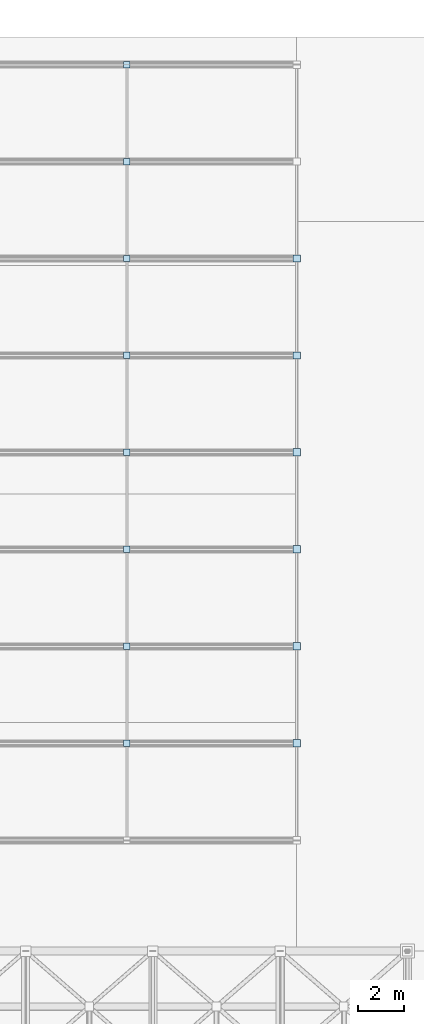
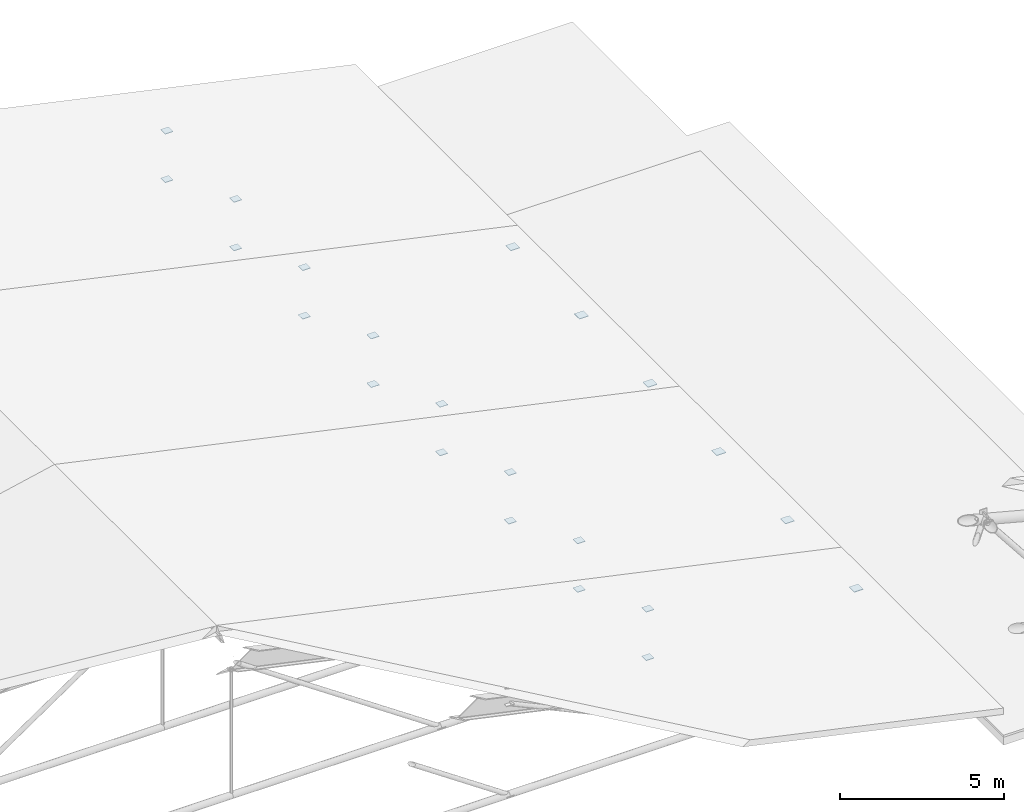
# One storey, part 55 of 60: 22 plates.
"""IFC4 building model written with IfcOpenShell, lengths in metres."""

import ifcopenshell
import ifcopenshell.guid

model = None  # the IFC model being written
_history = None  # IfcOwnerHistory: only IFC2X3 demands one
_inside = {}  # id of a spatial element -> (the spatial element, [elements in it])
_under = {}  # id of a project, library or spatial element -> (it, [spatial elements below it])
_declared = {}  # id of a project -> (the project, [libraries it declares])
_typed = {}  # id of a type object -> (the type object, [elements of that type])
_made_of = {}  # id of a material, layer set ... -> (it, [elements and type objects made of it])


def new_model(schema):
    """Start an empty IFC model of exactly this schema.

    Asked for "IFC4X3", IfcOpenShell would pick the latest addendum, in which some entities
    have other attributes; the version numbers below select the first issue.
    IFC2X3 requires an IfcOwnerHistory on every rooted entity: one is made here for all.
    """
    global model, _history
    if schema == "IFC4X3":
        model = ifcopenshell.file(schema_version=(4, 3, 0, 0))
    else:
        model = ifcopenshell.file(schema=schema)
    _inside.clear()
    _under.clear()
    _declared.clear()
    _typed.clear()
    _made_of.clear()
    _history = None
    if model.schema == "IFC2X3":
        org = make("IfcOrganization", Name="unknown")
        user = make(
            "IfcPersonAndOrganization",
            ThePerson=make("IfcPerson", FamilyName="unknown"),
            TheOrganization=org,
        )
        app = make(
            "IfcApplication",
            ApplicationDeveloper=org,
            Version="unknown",
            ApplicationFullName="unknown",
            ApplicationIdentifier="unknown",
        )
        _history = make(
            "IfcOwnerHistory",
            OwningUser=user,
            OwningApplication=app,
            ChangeAction="ADDED",
            CreationDate=0,
        )
    return model


def make(cls, **values):
    """One entity of the class cls with the attributes given. An attribute that is None is left unset."""
    return model.create_entity(
        cls, **{name: value for name, value in values.items() if value is not None}
    )


def rooted(cls, **values):
    """An entity with a GlobalId (a new one), such as an element, a storey or a relation."""
    return make(cls, GlobalId=ifcopenshell.guid.new(), OwnerHistory=_history, **values)


def si_unit(unit_type, name, prefix=None):
    """IfcSIUnit, for example si_unit("LENGTHUNIT", "METRE", prefix="MILLI")."""
    return make("IfcSIUnit", UnitType=unit_type, Prefix=prefix, Name=name)


def assignment(units):
    """IfcUnitAssignment: the units of a project."""
    return None if units is None else make("IfcUnitAssignment", Units=units)


def point(xyz):
    """IfcCartesianPoint."""
    return None if xyz is None else make("IfcCartesianPoint", Coordinates=xyz)


def direction(xyz):
    """IfcDirection."""
    return None if xyz is None else make("IfcDirection", DirectionRatios=xyz)


def frame(location, z_axis=None, x_axis=None):
    """IfcAxis2Placement3D, a coordinate frame: its origin and axes. An axis left out is left unset."""
    return make(
        "IfcAxis2Placement3D",
        Location=point(location),
        Axis=direction(z_axis),
        RefDirection=direction(x_axis),
    )


def frame_2d(location, x_axis=None):
    """IfcAxis2Placement2D, a coordinate frame in the plane: its origin and x axis."""
    return make(
        "IfcAxis2Placement2D", Location=point(location), RefDirection=direction(x_axis)
    )


def origin():
    """The frame at (0, 0, 0) with its axes left unset."""
    return frame((0.0, 0.0, 0.0))


def origin_2d():
    """The frame at (0, 0) in the plane with its x axis left unset."""
    return frame_2d((0.0, 0.0))


def place(relative_to, where):
    """IfcLocalPlacement: puts the frame where relative to a parent placement (None: the world)."""
    return make(
        "IfcLocalPlacement", PlacementRelTo=relative_to, RelativePlacement=where
    )


def context(
    kind, dimensions, precision=None, world=None, true_north=None, identifier=None
):
    """IfcGeometricRepresentationContext, for example the 3D "Model" context."""
    return make(
        "IfcGeometricRepresentationContext",
        ContextIdentifier=identifier,
        ContextType=kind,
        CoordinateSpaceDimension=dimensions,
        Precision=precision,
        WorldCoordinateSystem=world,
        TrueNorth=true_north,
    )


def subcontext(parent, identifier, kind, view, scale=None):
    """IfcGeometricRepresentationSubContext, for example "Body" below "Model"."""
    return make(
        "IfcGeometricRepresentationSubContext",
        ContextIdentifier=identifier,
        ContextType=kind,
        ParentContext=parent,
        TargetScale=scale,
        TargetView=view,
    )


def project(units=None, contexts=None):
    """IfcProject with its units and contexts."""
    return rooted(
        "IfcProject",
        Name="project",
        RepresentationContexts=contexts,
        UnitsInContext=assignment(units),
    )


def spatial(cls, under=None, at=None, **own):
    """A site, building, storey or space (cls), placed at a placement, below another one or the project."""
    s = rooted(cls, ObjectPlacement=at, **own)
    if under is not None:
        _under.setdefault(under.id(), (under, []))[1].append(s)
    return s


def profile(cls, at=None, kind="AREA", **sizes):
    """A parametric profile (cls). Its sizes go by their IFC names, for example OverallWidth=200.0."""
    return make(cls, ProfileType=kind, Position=at, **sizes)


def rectangle(**sizes):
    """IfcRectangleProfileDef."""
    return profile("IfcRectangleProfileDef", **sizes)


def extrude(swept, where, along, depth):
    """IfcExtrudedAreaSolid: the profile swept, set in the frame where, extruded along a direction by depth."""
    return make(
        "IfcExtrudedAreaSolid",
        SweptArea=swept,
        Position=where,
        ExtrudedDirection=direction(along),
        Depth=depth,
    )


def shape(context_of_items, identifier, shape_type, items):
    """IfcShapeRepresentation: the items that make up one representation, for example the "Body"."""
    return make(
        "IfcShapeRepresentation",
        ContextOfItems=context_of_items,
        RepresentationIdentifier=identifier,
        RepresentationType=shape_type,
        Items=items,
    )


def material(Name=None, Category=None):
    """IfcMaterial."""
    return make("IfcMaterial", Name=Name, Category=Category)


def made_of(thing, what):
    """Note that an element or type object is made of a material, layer set ...; save() writes the relation."""
    if what is not None:
        _made_of.setdefault(what.id(), (what, []))[1].append(thing)
    return thing


def type_object(cls, material=None, **own):
    """A type object (cls), such as IfcWallType, which elements share."""
    return made_of(rooted(cls, **own), material)


def element(
    cls,
    number,
    at=None,
    inside=None,
    cuts=None,
    type_object=None,
    material=None,
    context=None,
    identifier="Body",
    shape_type=None,
    held_by="IfcProductDefinitionShape",
    body=None,
    shapes=None,
    **own,
):
    """One element of the class cls, such as IfcWall. Its Tag is "e" and its number.

    at: its placement. inside: the storey or other place that contains it. cuts: it is an
    opening in that element (IfcRelVoidsElement). A single representation is given by context,
    identifier, shape_type and body (its items); several are given by shapes. held_by: the class
    of the entity that holds the representations. save() writes the other relations.
    """
    e = rooted(cls, Tag="e%d" % number, ObjectPlacement=at, **own)
    if body is not None:
        shapes = [shape(context, identifier, shape_type, body)]
    if shapes is not None:
        e.Representation = make(held_by, Representations=shapes)
    if inside is not None:
        _inside.setdefault(inside.id(), (inside, []))[1].append(e)
    if cuts is not None:
        rooted(
            "IfcRelVoidsElement", RelatingBuildingElement=cuts, RelatedOpeningElement=e
        )
    if type_object is not None:
        _typed.setdefault(type_object.id(), (type_object, []))[1].append(e)
    return made_of(e, material)


def aggregate(whole, parts):
    """IfcRelAggregates: a whole, such as a stair, and the parts it consists of."""
    return rooted("IfcRelAggregates", RelatingObject=whole, RelatedObjects=parts)


def save(model, path):
    """Write the relations noted so far, then the file.

    IfcRelAggregates (storeys below a building ...), IfcRelContainedInSpatialStructure (elements
    in a storey), IfcRelDefinesByType, IfcRelAssociatesMaterial and IfcRelDeclares: one each for
    every whole, place, type object, material and project.
    """
    for whole, parts in _under.values():
        aggregate(whole, parts)
    for where, things in _inside.values():
        rooted(
            "IfcRelContainedInSpatialStructure",
            RelatedElements=things,
            RelatingStructure=where,
        )
    for kind, things in _typed.values():
        rooted("IfcRelDefinesByType", RelatedObjects=things, RelatingType=kind)
    for what, things in _made_of.values():
        rooted("IfcRelAssociatesMaterial", RelatedObjects=things, RelatingMaterial=what)
    for by, libraries in _declared.values():
        rooted("IfcRelDeclares", RelatingContext=by, RelatedDefinitions=libraries)
    model.write(path)


model = new_model("IFC4")

# Units and contexts
model_context = context("Model", 3, precision=1e-05, world=origin(), true_north=direction((0.0, 1.0)))
body_context = subcontext(model_context, "Body", "Model", "MODEL_VIEW")
ifc_project = project(units=[si_unit("LENGTHUNIT", "METRE"), si_unit("AREAUNIT", "SQUARE_METRE"), si_unit("VOLUMEUNIT", "CUBIC_METRE"), si_unit("PLANEANGLEUNIT", "RADIAN"), si_unit("MASSUNIT", "GRAM", prefix="KILO")], contexts=[model_context])

# Site, building, storey
site_placement = place(None, origin())
site = spatial("IfcSite", under=ifc_project, at=site_placement, CompositionType="ELEMENT")
building_placement = place(site_placement, origin())
building = spatial("IfcBuilding", under=site, at=building_placement, Name="Nakhvara Creek Congress Hotel", CompositionType="ELEMENT")
storey_placement = place(building_placement, frame((0.0, 0.0, 54.60009765625)))
storey = spatial("IfcBuildingStorey", under=building, at=storey_placement, Name="RL1", CompositionType="ELEMENT", Elevation=54.60009765625)

# Plates
ifc_material = material(Name="Steel S355J2", Category="steel")
plate_type_1 = type_object("IfcPlateType", Name="PLT-NODE-280X280X18", PredefinedType="USERDEFINED", material=ifc_material)
for number, where, z_axis, x_axis, name in (
    (1, (41.10009765625, 95.39990234375, -41.899169921875), (0.0, 0.0, 1.0), (1.0, 0.0, 0.0), "Ballroom Truss Node Gusset Plate SN-020"),
    (2, (41.10009765625, 95.39990234375, -40.089111328125), (0.0, 0.0, 1.0), (1.0, 0.0, 0.0), "Ballroom Truss Rafter Gusset Plate SN-021"),
    (3, (41.10009765625, 99.60009765625, -41.899169921875), (0.0, 0.0, 1.0), (1.0, 0.0, 0.0), "Ballroom Truss Node Gusset Plate SN-031"),
    (4, (41.10009765625, 99.60009765625, -40.089111328125), (0.0, 0.0, 1.0), (1.0, 0.0, 0.0), "Ballroom Truss Rafter Gusset Plate SN-032"),
    (5, (41.10009765625, 103.800048828125, -41.899169921875), (0.0, 0.0, 1.0), (1.0, 0.0, 0.0), "Ballroom Truss Node Gusset Plate SN-042"),
    (6, (41.10009765625, 103.800048828125, -40.089111328125), (0.0, 0.0, 1.0), (1.0, 0.0, 0.0), "Ballroom Truss Rafter Gusset Plate SN-043"),
    (7, (41.10009765625, 108.0, -41.899169921875), (0.0, 0.0, 1.0), (1.0, 0.0, 0.0), "Ballroom Truss Node Gusset Plate SN-053"),
    (8, (41.10009765625, 108.0, -40.089111328125), (0.0, 0.0, 1.0), (1.0, 0.0, 0.0), "Ballroom Truss Rafter Gusset Plate SN-054"),
    (9, (41.10009765625, 112.199951171875, -41.899169921875), (0.0, 0.0, 1.0), (1.0, 0.0, 0.0), "Ballroom Truss Node Gusset Plate SN-064"),
    (10, (41.10009765625, 112.199951171875, -40.089111328125), (0.0, 0.0, 1.0), (1.0, 0.0, 0.0), "Ballroom Truss Rafter Gusset Plate SN-065"),
    (11, (41.10009765625, 116.39990234375, -41.899169921875), (0.0, 0.0, 1.0), (1.0, 0.0, 0.0), "Ballroom Truss Node Gusset Plate SN-075"),
    (12, (41.10009765625, 116.39990234375, -40.089111328125), (0.0, 0.0, 1.0), (1.0, 0.0, 0.0), "Ballroom Truss Rafter Gusset Plate SN-076"),
    (13, (41.10009765625, 120.60009765625, -41.899169921875), (0.0, 0.0, 1.0), (1.0, 0.0, 0.0), "Ballroom Truss Node Gusset Plate SN-086"),
    (14, (41.10009765625, 120.60009765625, -40.089111328125), (0.0, 0.0, 1.0), (1.0, 0.0, 0.0), "Ballroom Truss Rafter Gusset Plate SN-087"),
    (15, (41.10009765625, 124.800048828125, -41.899169921875), (0.0, 0.0, 1.0), (1.0, 0.0, 0.0), "Ballroom Truss Node Gusset Plate SN-097"),
    (16, (41.10009765625, 124.800048828125, -40.089111328125), (0.0, 0.0, 1.0), (1.0, 0.0, 0.0), "Ballroom Truss Rafter Gusset Plate SN-098"),
):
    element("IfcPlate", number, at=place(storey_placement, frame(where, z_axis=z_axis, x_axis=x_axis)), inside=storey, type_object=plate_type_1, Name=name, ObjectType="GUSSET_PLATE", PredefinedType="USERDEFINED", context=body_context, shape_type="SweptSolid", body=[
        extrude(rectangle(XDim=0.280029296875, YDim=0.280029296875, at=origin_2d()), origin(), (0.0, 0.0, 1.0), 0.01806640625),
    ])
plate_type_2 = type_object("IfcPlateType", Name="PLT-NODE-320X320X20", PredefinedType="USERDEFINED", material=ifc_material)
for number, where, z_axis, x_axis, name in (
    (17, (48.449951171875, 95.39990234375, -41.900146484375), (0.0, 0.0, 1.0), (1.0, 0.0, 0.0), "Ballroom Truss Node Gusset Plate SN-022"),
    (18, (48.449951171875, 99.60009765625, -41.900146484375), (0.0, 0.0, 1.0), (1.0, 0.0, 0.0), "Ballroom Truss Node Gusset Plate SN-033"),
    (19, (48.449951171875, 103.800048828125, -41.900146484375), (0.0, 0.0, 1.0), (1.0, 0.0, 0.0), "Ballroom Truss Node Gusset Plate SN-044"),
    (20, (48.449951171875, 108.0, -41.900146484375), (0.0, 0.0, 1.0), (1.0, 0.0, 0.0), "Ballroom Truss Node Gusset Plate SN-055"),
    (21, (48.449951171875, 112.199951171875, -41.900146484375), (0.0, 0.0, 1.0), (1.0, 0.0, 0.0), "Ballroom Truss Node Gusset Plate SN-066"),
    (22, (48.449951171875, 116.39990234375, -41.900146484375), (0.0, 0.0, 1.0), (1.0, 0.0, 0.0), "Ballroom Truss Node Gusset Plate SN-077"),
):
    element("IfcPlate", number, at=place(storey_placement, frame(where, z_axis=z_axis, x_axis=x_axis)), inside=storey, type_object=plate_type_2, Name=name, ObjectType="GUSSET_PLATE", PredefinedType="USERDEFINED", context=body_context, shape_type="SweptSolid", body=[
        extrude(rectangle(XDim=0.320068359375, YDim=0.320068359375, at=origin_2d()), origin(), (0.0, 0.0, 1.0), 0.02001953125),
    ])

save(model, "model.ifc")
